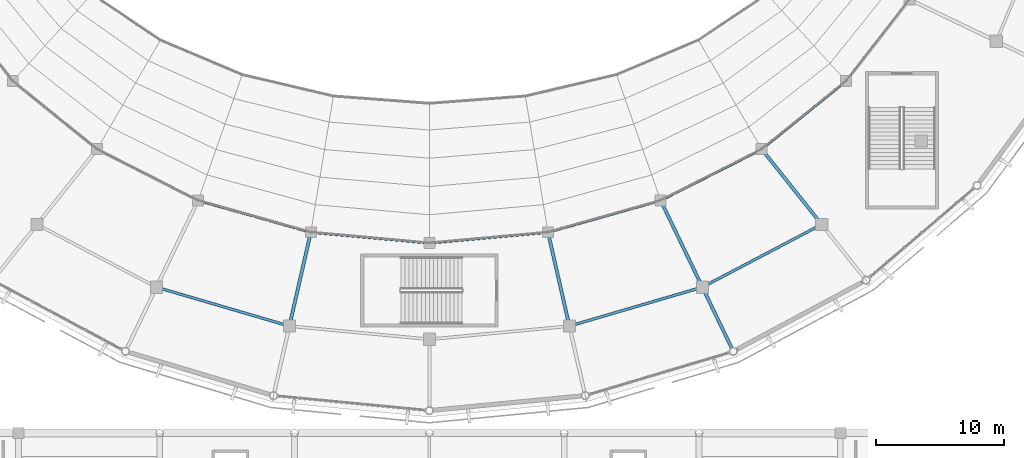
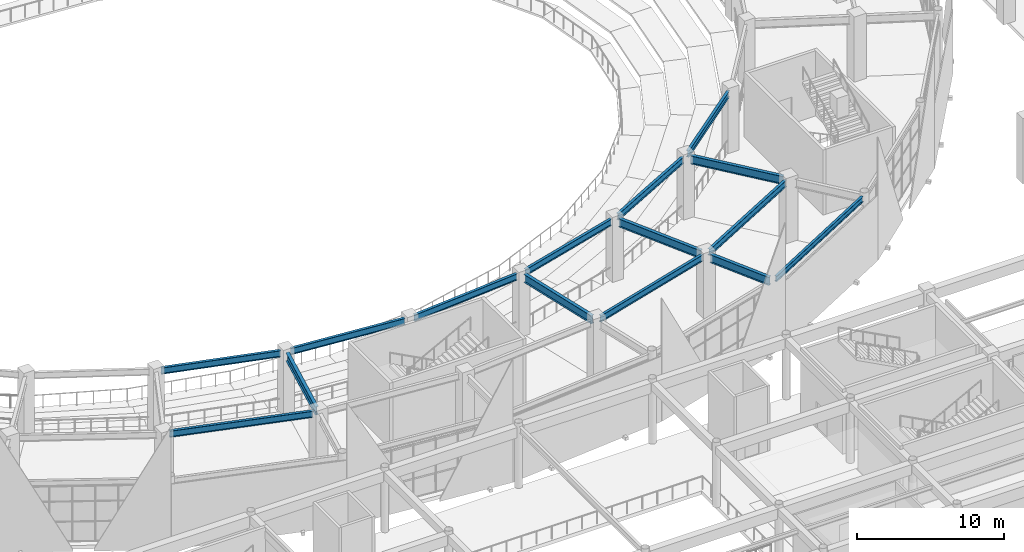
# One storey, part 29 of 120: 15 beams.
"""IFC4 building model written with IfcOpenShell, lengths in metres."""

from ifc_helpers import new_model, si_unit, direction, frame, origin, origin_2d, place, context, subcontext, project, spatial, i_section, extrude, material, material_profile, profile_set, type_object, element, save


model = new_model("IFC4")

# Units and contexts
model_context = context("Model", 3, precision=1e-05, world=origin(), true_north=direction((0.0, 1.0)))
body_context = subcontext(model_context, "Body", "Model", "MODEL_VIEW")
ifc_project = project(units=[si_unit("LENGTHUNIT", "METRE"), si_unit("AREAUNIT", "SQUARE_METRE"), si_unit("VOLUMEUNIT", "CUBIC_METRE"), si_unit("PLANEANGLEUNIT", "RADIAN"), si_unit("MASSUNIT", "GRAM", prefix="KILO")], contexts=[model_context])

# Site, building, storey
site_placement = place(None, origin())
site = spatial("IfcSite", under=ifc_project, at=site_placement, CompositionType="ELEMENT")
building_placement = place(site_placement, origin())
building = spatial("IfcBuilding", under=site, at=building_placement, Name="Cuetzalor Civic Arena", CompositionType="ELEMENT")
storey_placement = place(building_placement, frame((0.0, 0.0, 6.0)))
storey = spatial("IfcBuildingStorey", under=building, at=storey_placement, Name="L01", CompositionType="ELEMENT", Elevation=6.0)

# Beams
ifc_material_1 = material(Name="Steel S355", Category="steel")
ifc_material_profile_1 = material_profile(ifc_material_1, i_section(OverallWidth=0.18994140625, OverallDepth=0.45703125, WebThickness=0.009033203125, FlangeThickness=0.014404296875, at=origin_2d()), Name="W460x74")
ifc_profile_set_1 = profile_set([ifc_material_profile_1], Name="Steel S355")
beam_type_1 = type_object("IfcBeamType", Name="FacadeSpandrelBeam_W460", PredefinedType="SPANDREL", material=ifc_profile_set_1)
beam_1_placement = place(storey_placement, frame((23.924072265625, -41.802978515625, 4.8916015625), z_axis=(0.881304552514, 0.472548712534, 0.0), x_axis=(-0.472548712534, 0.881304552514, 0.0)))
element("IfcBeam", 1, at=beam_1_placement, inside=storey, type_object=beam_type_1, Name="Drum Perimeter Spandrel L01-S24", PredefinedType="SPANDREL", context=body_context, shape_type="SweptSolid", body=[
    extrude(i_section(OverallWidth=0.18994140625, OverallDepth=0.45703125, WebThickness=0.009033203125, FlangeThickness=0.014404296875, at=origin_2d()), origin(), (0.0, 0.0, 1.0), 11.156005859375),
])
ifc_material_2 = material(Name="Steel S355", Category="steel")
ifc_material_profile_2 = material_profile(ifc_material_2, i_section(OverallWidth=0.208984375, OverallDepth=0.532958984375, WebThickness=0.01025390625, FlangeThickness=0.015625, at=origin_2d()), Name="W530x92")
ifc_profile_set_2 = profile_set([ifc_material_profile_2], Name="Steel S355")
beam_type_2 = type_object("IfcBeamType", Name="SteelCollarGirder_W530", PredefinedType="BEAM", material=ifc_profile_set_2)
beam_2_placement = place(storey_placement, frame((-20.9052734375, -37.043701171875, 4.853515625), z_axis=(0.959716323112, -0.280970779889, 0.0), x_axis=(0.280970779889, 0.959716323112, 0.0)))
element("IfcBeam", 2, at=beam_2_placement, inside=storey, type_object=beam_type_2, Name="Drum Concourse Ring Girder L01-S20", PredefinedType="BEAM", context=body_context, shape_type="SweptSolid", body=[
    extrude(i_section(OverallWidth=0.208984375, OverallDepth=0.532958984375, WebThickness=0.01025390625, FlangeThickness=0.015625, at=origin_2d()), origin(), (0.0, 0.0, 1.0), 10.0517578125),
])
beam_3_placement = place(storey_placement, frame((-17.659912109375, -30.280517578125, 4.853515625), z_axis=(0.962353567102, -0.271800684117, 0.0), x_axis=(0.271800684117, 0.962353567102, 0.0)))
element("IfcBeam", 3, at=beam_3_placement, inside=storey, type_object=beam_type_2, Name="Bowl Inner Ring Girder L01-S20", PredefinedType="BEAM", context=body_context, shape_type="SweptSolid", body=[
    extrude(i_section(OverallWidth=0.208984375, OverallDepth=0.532958984375, WebThickness=0.01025390625, FlangeThickness=0.015625, at=origin_2d()), origin(), (0.0, 0.0, 1.0), 8.394775390625),
])
for number, where, z_axis, x_axis, name in (
    (4, (-8.876220703125, -32.692626953125, 4.853515625), (0.995889930215, -0.090571777597, 0.0), (0.090571777597, 0.995889930215, 0.0), "Bowl Inner Ring Girder L01-S21"),
    (5, (0.3583984375, -33.46728515625, 4.853515625), (0.995889930215, 0.090571777597, 0.0), (-0.090571777597, 0.995889930215, 0.0), "Bowl Inner Ring Girder L01-S22"),
):
    element("IfcBeam", number, at=place(storey_placement, frame(where, z_axis=z_axis, x_axis=x_axis)), inside=storey, type_object=beam_type_2, Name=name, PredefinedType="BEAM", context=body_context, shape_type="SweptSolid", body=[
        extrude(i_section(OverallWidth=0.208984375, OverallDepth=0.532958984375, WebThickness=0.01025390625, FlangeThickness=0.015625, at=origin_2d()), origin(), (0.0, 0.0, 1.0), 8.552978515625),
    ])
beam_4_placement = place(storey_placement, frame((11.258544921875, -39.867919921875, 4.853515625), z_axis=(0.959716323112, 0.280970779889, 0.0), x_axis=(-0.280970779889, 0.959716323112, 0.0)))
element("IfcBeam", 6, at=beam_4_placement, inside=storey, type_object=beam_type_2, Name="Drum Concourse Ring Girder L01-S23", PredefinedType="BEAM", context=body_context, shape_type="SweptSolid", body=[
    extrude(i_section(OverallWidth=0.208984375, OverallDepth=0.532958984375, WebThickness=0.01025390625, FlangeThickness=0.015625, at=origin_2d()), origin(), (0.0, 0.0, 1.0), 10.0517578125),
])
beam_5_placement = place(storey_placement, frame((9.5810546875, -32.562255859375, 4.853515625), z_axis=(0.962353567102, 0.271800684117, 0.0), x_axis=(-0.271800684117, 0.962353567102, 0.0)))
element("IfcBeam", 7, at=beam_5_placement, inside=storey, type_object=beam_type_2, Name="Bowl Inner Ring Girder L01-S23", PredefinedType="BEAM", context=body_context, shape_type="SweptSolid", body=[
    extrude(i_section(OverallWidth=0.208984375, OverallDepth=0.532958984375, WebThickness=0.01025390625, FlangeThickness=0.015625, at=origin_2d()), origin(), (0.0, 0.0, 1.0), 8.394775390625),
])
beam_6_placement = place(storey_placement, frame((21.587890625, -36.767578125, 4.853515625), z_axis=(0.885117354883, 0.465367884673, 0.0), x_axis=(-0.465367884673, 0.885117354883, 0.0)))
element("IfcBeam", 8, at=beam_6_placement, inside=storey, type_object=beam_type_2, Name="Drum Concourse Ring Girder L01-S24", PredefinedType="BEAM", context=body_context, shape_type="SweptSolid", body=[
    extrude(i_section(OverallWidth=0.208984375, OverallDepth=0.532958984375, WebThickness=0.01025390625, FlangeThickness=0.015625, at=origin_2d()), origin(), (0.0, 0.0, 1.0), 9.75634765625),
])
beam_7_placement = place(storey_placement, frame((18.327392578125, -30.019775390625, 4.853515625), z_axis=(0.89182706622, 0.452376484754, 0.0), x_axis=(-0.452376484754, 0.89182706622, 0.0)))
element("IfcBeam", 9, at=beam_7_placement, inside=storey, type_object=beam_type_2, Name="Bowl Inner Ring Girder L01-S24", PredefinedType="BEAM", context=body_context, shape_type="SweptSolid", body=[
    extrude(i_section(OverallWidth=0.208984375, OverallDepth=0.532958984375, WebThickness=0.01025390625, FlangeThickness=0.015625, at=origin_2d()), origin(), (0.0, 0.0, 1.0), 8.102783203125),
])
beam_8_placement = place(storey_placement, frame((26.15478515625, -25.96533203125, 4.853515625), z_axis=(0.77812651983, 0.628107569719, 0.0), x_axis=(-0.628107569719, 0.77812651983, 0.0)))
element("IfcBeam", 10, at=beam_8_placement, inside=storey, type_object=beam_type_2, Name="Bowl Inner Ring Girder L01-S25", PredefinedType="BEAM", context=body_context, shape_type="SweptSolid", body=[
    extrude(i_section(OverallWidth=0.208984375, OverallDepth=0.532958984375, WebThickness=0.01025390625, FlangeThickness=0.015625, at=origin_2d()), origin(), (0.0, 0.0, 1.0), 7.725341796875),
])
ifc_material_3 = material(Name="Steel S355", Category="steel")
ifc_material_profile_3 = material_profile(ifc_material_3, i_section(OverallWidth=0.2529296875, OverallDepth=0.677978515625, WebThickness=0.01171875, FlangeThickness=0.016357421875, at=origin_2d()), Name="W690x125")
ifc_profile_set_3 = profile_set([ifc_material_profile_3], Name="Steel S355")
beam_type_3 = type_object("IfcBeamType", Name="SteelPrimaryGirder_W690", PredefinedType="BEAM", material=ifc_profile_set_3)
for number, where, z_axis, x_axis, name in (
    (11, (-9.314697265625, -33.010986328125, 4.781005859375), (-0.222531472988, -0.974925506657, 0.0), (0.974925506657, -0.222531472988, 0.0), "Drum Inner Radial Girder L01-R21"),
    (12, (9.314697265625, -33.010986328125, 4.781005859375), (0.222531472988, -0.974925506657, 0.0), (0.974925506657, 0.222531472988, 0.0), "Drum Inner Radial Girder L01-R23"),
):
    element("IfcBeam", number, at=place(storey_placement, frame(where, z_axis=z_axis, x_axis=x_axis)), inside=storey, type_object=beam_type_3, Name=name, PredefinedType="BEAM", context=body_context, shape_type="SweptSolid", body=[
        extrude(i_section(OverallWidth=0.2529296875, OverallDepth=0.677978515625, WebThickness=0.01171875, FlangeThickness=0.016357421875, at=origin_2d()), origin(), (0.0, 0.0, 1.0), 6.780029296875),
    ])
beam_9_placement = place(storey_placement, frame((21.41650390625, -37.263916015625, 4.781005859375), z_axis=(0.433871046232, -0.900974980364, 0.0), x_axis=(0.900974980364, 0.433871046232, 0.0)))
element("IfcBeam", 13, at=beam_9_placement, inside=storey, type_object=beam_type_3, Name="Drum Radial Girder L01-R24", PredefinedType="BEAM", context=body_context, shape_type="SweptSolid", body=[
    extrude(i_section(OverallWidth=0.2529296875, OverallDepth=0.677978515625, WebThickness=0.01171875, FlangeThickness=0.016357421875, at=origin_2d()), origin(), (0.0, 0.0, 1.0), 4.89990234375),
])
beam_10_placement = place(storey_placement, frame((18.162353515625, -30.5068359375, 4.781005859375), z_axis=(0.433869751452, -0.900975603874, 0.0), x_axis=(0.900975603874, 0.433869751452, 0.0)))
element("IfcBeam", 14, at=beam_10_placement, inside=storey, type_object=beam_type_3, Name="Drum Inner Radial Girder L01-R24", PredefinedType="BEAM", context=body_context, shape_type="SweptSolid", body=[
    extrude(i_section(OverallWidth=0.2529296875, OverallDepth=0.677978515625, WebThickness=0.01171875, FlangeThickness=0.016357421875, at=origin_2d()), origin(), (0.0, 0.0, 1.0), 6.780029296875),
])
beam_11_placement = place(storey_placement, frame((26.099365234375, -26.472900390625, 4.781005859375), z_axis=(0.623473464464, -0.781844510826, 0.0), x_axis=(0.781844510826, 0.623473464464, 0.0)))
element("IfcBeam", 15, at=beam_11_placement, inside=storey, type_object=beam_type_3, Name="Drum Inner Radial Girder L01-R25", PredefinedType="BEAM", context=body_context, shape_type="SweptSolid", body=[
    extrude(i_section(OverallWidth=0.2529296875, OverallDepth=0.677978515625, WebThickness=0.01171875, FlangeThickness=0.016357421875, at=origin_2d()), origin(), (0.0, 0.0, 1.0), 6.77978515625),
])

save(model, "model.ifc")
